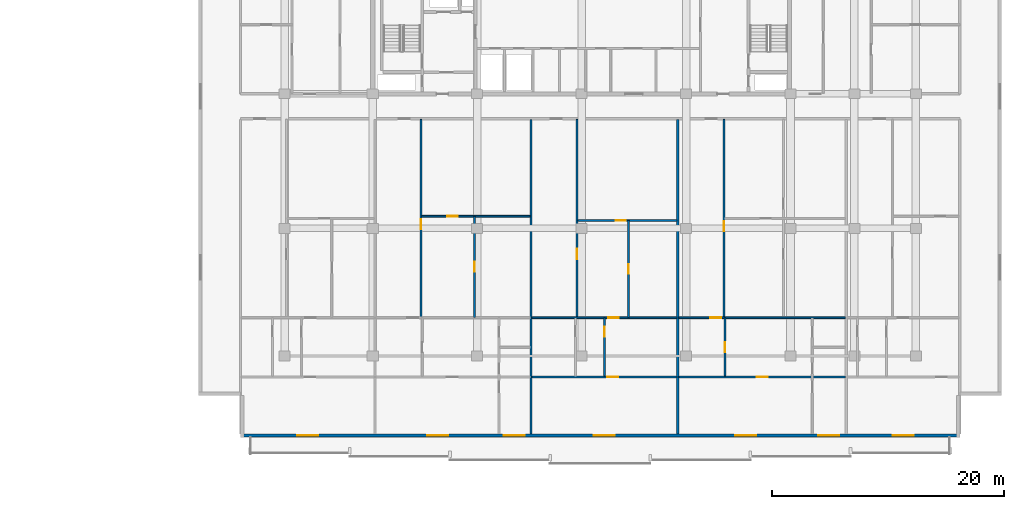
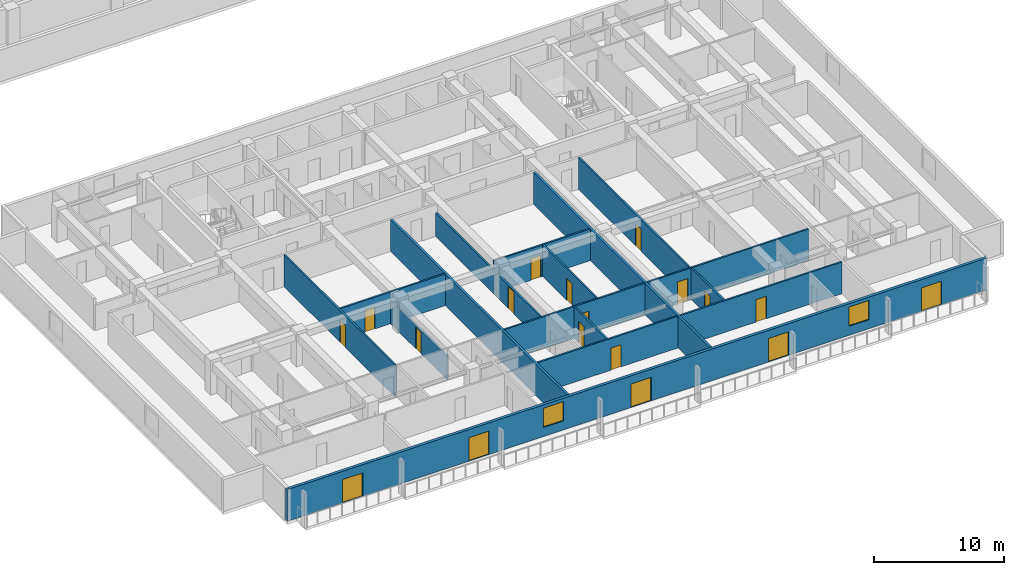
# One storey, part 5 of 24: 18 doors, 16 walls, 2 windows, 20 openings.
"""IFC4 building model written with IfcOpenShell, lengths in metres."""

from ifc_helpers import new_model, si_unit, direction, frame, frame_2d, origin, place, context, subcontext, project, spatial, rectangle, extrude, material, layer, layer_set, type_object, element, fill, save


model = new_model("IFC4")

# Units and contexts
model_context = context("Model", 3, precision=1e-05, world=origin(), true_north=direction((0.0, 1.0)))
body_context = subcontext(model_context, "Body", "Model", "MODEL_VIEW")
ifc_project = project(units=[si_unit("LENGTHUNIT", "METRE"), si_unit("AREAUNIT", "SQUARE_METRE"), si_unit("VOLUMEUNIT", "CUBIC_METRE"), si_unit("PLANEANGLEUNIT", "RADIAN"), si_unit("MASSUNIT", "GRAM", prefix="KILO")], contexts=[model_context])

# Site, building, storey
site_placement = place(None, origin())
site = spatial("IfcSite", under=ifc_project, at=site_placement, CompositionType="ELEMENT")
building_placement = place(site_placement, origin())
building = spatial("IfcBuilding", under=site, at=building_placement, Name="Korimba Cascade Residences", CompositionType="ELEMENT")
storey_placement = place(building_placement, frame((0.0, 0.0, 66.25)))
storey = spatial("IfcBuildingStorey", under=building, at=storey_placement, Name="L18", CompositionType="ELEMENT", Elevation=66.25)

# Wall, openings, doors, windows
ifc_material_1 = material(Name="Precast concrete C40/50", Category="concrete")
ifc_layer_1 = layer(ifc_material_1, 0.25)
ifc_layer_set_1 = layer_set([ifc_layer_1], Name="Precast concrete C40/50")
wall_type_1 = type_object("IfcWallType", Name="EW-LOG-250", PredefinedType="STANDARD", material=ifc_layer_set_1)
wall_1_placement = place(storey_placement, frame((70.699951171875, -11.050048828125, 0.0), z_axis=(0.0, 0.0, 1.0), x_axis=(1.0, 0.0, 0.0)))
wall_1 = element("IfcWall", 1, at=wall_1_placement, inside=storey, type_object=wall_type_1, Name="L18 T2 Perimeter Stone Wall E00", PredefinedType="STANDARD", context=body_context, shape_type="SweptSolid", body=[
    extrude(rectangle(XDim=62.0, YDim=0.25, at=frame_2d((31.0, 0.0))), origin(), (0.0, 0.0, 1.0), 2.969970703125),
])
opening_1_placement = place(wall_1_placement, frame((4.894775390625, 0.0, 0.0)))
opening_1 = element("IfcOpeningElement", 2, at=opening_1_placement, cuts=wall_1, Name="Opening D-LG1", PredefinedType="OPENING", context=body_context, shape_type="SweptSolid", body=[
    extrude(rectangle(XDim=1.800048828125, YDim=2.199951171875, at=frame_2d((0.89990234375, 1.10009765625))), frame((0.0, 0.135009765625, 0.0), z_axis=(0.0, -1.0, 0.0), x_axis=(1.0, 0.0, 0.0)), (0.0, 0.0, 1.0), 0.27001953125),
])
opening_2_placement = place(wall_1_placement, frame((16.094970703125, 0.0, 0.0)))
opening_2 = element("IfcOpeningElement", 3, at=opening_2_placement, cuts=wall_1, Name="Opening D-LG1", PredefinedType="OPENING", context=body_context, shape_type="SweptSolid", body=[
    extrude(rectangle(XDim=1.800048828125, YDim=2.199951171875, at=frame_2d((0.89990234375, 1.10009765625))), frame((0.0, 0.135009765625, 0.0), z_axis=(0.0, -1.0, 0.0), x_axis=(1.0, 0.0, 0.0)), (0.0, 0.0, 1.0), 0.27001953125),
])
opening_3_placement = place(wall_1_placement, frame((22.697998046875, 0.0, 0.85009765625)))
opening_3 = element("IfcOpeningElement", 4, at=opening_3_placement, cuts=wall_1, Name="Opening W-02", PredefinedType="OPENING", context=body_context, shape_type="SweptSolid", body=[
    extrude(rectangle(XDim=1.800048828125, YDim=1.800048828125, at=frame_2d((0.89990234375, 0.89990234375))), frame((0.0, 0.135009765625, 0.0), z_axis=(0.0, -1.0, 0.0), x_axis=(1.0, 0.0, 0.0)), (0.0, 0.0, 1.0), 0.27001953125),
])
opening_4_placement = place(wall_1_placement, frame((30.465576171875, 0.0, 0.0)))
opening_4 = element("IfcOpeningElement", 5, at=opening_4_placement, cuts=wall_1, Name="Opening D-LG1", PredefinedType="OPENING", context=body_context, shape_type="SweptSolid", body=[
    extrude(rectangle(XDim=1.800048828125, YDim=2.199951171875, at=frame_2d((0.89990234375, 1.10009765625))), frame((0.0, 0.135009765625, 0.0), z_axis=(0.0, -1.0, 0.0), x_axis=(1.0, 0.0, 0.0)), (0.0, 0.0, 1.0), 0.27001953125),
])
opening_5_placement = place(wall_1_placement, frame((42.6474609375, 0.0, 0.0)))
opening_5 = element("IfcOpeningElement", 6, at=opening_5_placement, cuts=wall_1, Name="Opening D-LG1", PredefinedType="OPENING", context=body_context, shape_type="SweptSolid", body=[
    extrude(rectangle(XDim=1.800048828125, YDim=2.199951171875, at=frame_2d((0.89990234375, 1.10009765625))), frame((0.0, 0.135009765625, 0.0), z_axis=(0.0, -1.0, 0.0), x_axis=(1.0, 0.0, 0.0)), (0.0, 0.0, 1.0), 0.27001953125),
])
opening_6_placement = place(wall_1_placement, frame((49.78515625, 0.0, 0.85009765625)))
opening_6 = element("IfcOpeningElement", 7, at=opening_6_placement, cuts=wall_1, Name="Opening W-02", PredefinedType="OPENING", context=body_context, shape_type="SweptSolid", body=[
    extrude(rectangle(XDim=1.800048828125, YDim=1.800048828125, at=frame_2d((0.89990234375, 0.89990234375))), frame((0.0, 0.135009765625, 0.0), z_axis=(0.0, -1.0, 0.0), x_axis=(1.0, 0.0, 0.0)), (0.0, 0.0, 1.0), 0.27001953125),
])
opening_7_placement = place(wall_1_placement, frame((56.205078125, 0.0, 0.0)))
opening_7 = element("IfcOpeningElement", 8, at=opening_7_placement, cuts=wall_1, Name="Opening D-LG1", PredefinedType="OPENING", context=body_context, shape_type="SweptSolid", body=[
    extrude(rectangle(XDim=1.800048828125, YDim=2.199951171875, at=frame_2d((0.89990234375, 1.10009765625))), frame((0.0, 0.135009765625, 0.0), z_axis=(0.0, -1.0, 0.0), x_axis=(1.0, 0.0, 0.0)), (0.0, 0.0, 1.0), 0.27001953125),
])
ifc_material_2 = material(Name="Glazed Aluminium Loggia Sliding Door", Category="aluminium")
door_type_1 = type_object("IfcDoorType", Name="DR-EXT-LOG", OperationType="NOTDEFINED", PredefinedType="DOOR", material=ifc_material_2)
door_1_placement = place(opening_1_placement, origin())
door_1 = element("IfcDoor", 9, at=door_1_placement, inside=storey, type_object=door_type_1, Name="L18 T2 Loggia Sliding Door 3", OperationType="SLIDING_TO_RIGHT", OverallHeight=2.199951171875, OverallWidth=1.800048828125, PredefinedType="DOOR", context=body_context, shape_type="SweptSolid", body=[
    extrude(rectangle(XDim=1.800048828125, YDim=2.199951171875, at=frame_2d((0.89990234375, 1.10009765625))), frame((0.0, 0.02490234375, 0.0), z_axis=(0.0, -1.0, 0.0), x_axis=(1.0, 0.0, 0.0)), (0.0, 0.0, 1.0), 0.050048828125),
])
fill(opening_1, door_1)
door_2_placement = place(opening_2_placement, origin())
door_2 = element("IfcDoor", 10, at=door_2_placement, inside=storey, type_object=door_type_1, Name="L18 T2 Loggia Sliding Door 4", OperationType="SLIDING_TO_RIGHT", OverallHeight=2.199951171875, OverallWidth=1.800048828125, PredefinedType="DOOR", context=body_context, shape_type="SweptSolid", body=[
    extrude(rectangle(XDim=1.800048828125, YDim=2.199951171875, at=frame_2d((0.89990234375, 1.10009765625))), frame((0.0, 0.02490234375, 0.0), z_axis=(0.0, -1.0, 0.0), x_axis=(1.0, 0.0, 0.0)), (0.0, 0.0, 1.0), 0.050048828125),
])
fill(opening_2, door_2)
door_3_placement = place(opening_4_placement, origin())
door_3 = element("IfcDoor", 11, at=door_3_placement, inside=storey, type_object=door_type_1, Name="L18 T2 Loggia Sliding Door 6", OperationType="SLIDING_TO_RIGHT", OverallHeight=2.199951171875, OverallWidth=1.800048828125, PredefinedType="DOOR", context=body_context, shape_type="SweptSolid", body=[
    extrude(rectangle(XDim=1.800048828125, YDim=2.199951171875, at=frame_2d((0.89990234375, 1.10009765625))), frame((0.0, 0.02490234375, 0.0), z_axis=(0.0, -1.0, 0.0), x_axis=(1.0, 0.0, 0.0)), (0.0, 0.0, 1.0), 0.050048828125),
])
fill(opening_4, door_3)
door_4_placement = place(opening_5_placement, origin())
door_4 = element("IfcDoor", 12, at=door_4_placement, inside=storey, type_object=door_type_1, Name="L18 T2 Loggia Sliding Door 7", OperationType="SLIDING_TO_RIGHT", OverallHeight=2.199951171875, OverallWidth=1.800048828125, PredefinedType="DOOR", context=body_context, shape_type="SweptSolid", body=[
    extrude(rectangle(XDim=1.800048828125, YDim=2.199951171875, at=frame_2d((0.89990234375, 1.10009765625))), frame((0.0, 0.02490234375, 0.0), z_axis=(0.0, -1.0, 0.0), x_axis=(1.0, 0.0, 0.0)), (0.0, 0.0, 1.0), 0.050048828125),
])
fill(opening_5, door_4)
door_5_placement = place(opening_7_placement, origin())
door_5 = element("IfcDoor", 13, at=door_5_placement, inside=storey, type_object=door_type_1, Name="L18 T2 Loggia Sliding Door 9", OperationType="SLIDING_TO_RIGHT", OverallHeight=2.199951171875, OverallWidth=1.800048828125, PredefinedType="DOOR", context=body_context, shape_type="SweptSolid", body=[
    extrude(rectangle(XDim=1.800048828125, YDim=2.199951171875, at=frame_2d((0.89990234375, 1.10009765625))), frame((0.0, 0.02490234375, 0.0), z_axis=(0.0, -1.0, 0.0), x_axis=(1.0, 0.0, 0.0)), (0.0, 0.0, 1.0), 0.050048828125),
])
fill(opening_7, door_5)
ifc_material_3 = material(Name="Double-Glazed Aluminium Window", Category="aluminium")
window_type = type_object("IfcWindowType", Name="WIN-BED-1800", PartitioningType="SINGLE_PANEL", PredefinedType="WINDOW", material=ifc_material_3)
window_1_placement = place(opening_3_placement, origin())
window_1 = element("IfcWindow", 14, at=window_1_placement, inside=storey, type_object=window_type, Name="L18 T2 South Facade Window 5", OverallHeight=1.800048828125, OverallWidth=1.800048828125, PartitioningType="SINGLE_PANEL", PredefinedType="WINDOW", context=body_context, shape_type="SweptSolid", body=[
    extrude(rectangle(XDim=1.800048828125, YDim=1.800048828125, at=frame_2d((0.89990234375, 0.89990234375))), frame((0.0, 0.030029296875, 0.0), z_axis=(0.0, -1.0, 0.0), x_axis=(1.0, 0.0, 0.0)), (0.0, 0.0, 1.0), 0.06005859375),
])
fill(opening_3, window_1)
window_2_placement = place(opening_6_placement, origin())
window_2 = element("IfcWindow", 15, at=window_2_placement, inside=storey, type_object=window_type, Name="L18 T2 South Facade Window 8", OverallHeight=1.800048828125, OverallWidth=1.800048828125, PartitioningType="SINGLE_PANEL", PredefinedType="WINDOW", context=body_context, shape_type="SweptSolid", body=[
    extrude(rectangle(XDim=1.800048828125, YDim=1.800048828125, at=frame_2d((0.89990234375, 0.89990234375))), frame((0.0, 0.030029296875, 0.0), z_axis=(0.0, -1.0, 0.0), x_axis=(1.0, 0.0, 0.0)), (0.0, 0.0, 1.0), 0.06005859375),
])
fill(opening_6, window_2)

# Walls
ifc_layer_2 = layer(ifc_material_1, 0.199951171875)
ifc_layer_set_2 = layer_set([ifc_layer_2], Name="Precast concrete C40/50")
wall_type_2 = type_object("IfcWallType", Name="WAL-IT-200", PredefinedType="PARTITIONING", material=ifc_layer_set_2)
for number, where, z_axis, x_axis, name in (
    (16, (95.736328125, -10.89990234375, 0.0), (0.0, 0.0, 1.0), (0.0, 1.0, 0.0), "L18 Partition Wall WAL-L18-T2-DEM-2"),
    (17, (108.39501953125, -10.89990234375, 0.0), (0.0, 0.0, 1.0), (0.0, 1.0, 0.0), "L18 Partition Wall WAL-L18-T2-DEM-3"),
):
    element("IfcWall", number, at=place(storey_placement, frame(where, z_axis=z_axis, x_axis=x_axis)), inside=storey, type_object=wall_type_2, Name=name, PredefinedType="PARTITIONING", context=body_context, shape_type="SweptSolid", body=[
        extrude(rectangle(XDim=27.06982421875, YDim=0.199951171875, at=frame_2d((13.534912109375, 0.0))), origin(), (0.0, 0.0, 1.0), 2.969970703125),
    ])

# Wall, opening, door
ifc_material_4 = material(Name="Insulated Acoustic Stud Partition", Category="gypsum")
ifc_layer_3 = layer(ifc_material_4, 0.14990234375)
ifc_layer_set_3 = layer_set([ifc_layer_3], Name="Insulated Acoustic Stud Partition")
wall_type_3 = type_object("IfcWallType", Name="WAL-PART-150", PredefinedType="PARTITIONING", material=ifc_layer_set_3)
wall_2_placement = place(storey_placement, frame((90.867919921875, -0.860107421875, 0.0), z_axis=(0.0, 0.0, 1.0), x_axis=(0.0, 1.0, 0.0)))
wall_2 = element("IfcWall", 18, at=wall_2_placement, inside=storey, type_object=wall_type_3, Name="L18 Partition Wall WAL-L18-T2-U02-FMV", PredefinedType="PARTITIONING", context=body_context, shape_type="SweptSolid", body=[
    extrude(rectangle(XDim=8.705078125, YDim=0.14990234375, at=frame_2d((4.3525390625, 0.0))), origin(), (0.0, 0.0, 1.0), 2.219970703125),
])
opening_8_placement = place(wall_2_placement, frame((3.9326171875, 0.0, 0.0)))
opening_8 = element("IfcOpeningElement", 19, at=opening_8_placement, cuts=wall_2, Name="Opening D-BT1", PredefinedType="OPENING", context=body_context, shape_type="SweptSolid", body=[
    extrude(rectangle(XDim=0.840087890625, YDim=2.0400390625, at=frame_2d((0.419921875, 1.02001953125))), frame((0.0, 0.0849609375, 0.0), z_axis=(0.0, -1.0, 0.0), x_axis=(1.0, 0.0, 0.0)), (0.0, 0.0, 1.0), 0.169921875),
])
ifc_material_5 = material(Name="Moisture-Resistant Bathroom Timber Door", Category="wood")
door_type_2 = type_object("IfcDoorType", Name="DR-INT-850", OperationType="NOTDEFINED", PredefinedType="DOOR", material=ifc_material_5)
door_6_placement = place(opening_8_placement, origin())
door_6 = element("IfcDoor", 20, at=door_6_placement, inside=storey, type_object=door_type_2, Name="L18-T2-U02 Wardrobe Door", OperationType="SINGLE_SWING_RIGHT", OverallHeight=2.0400390625, OverallWidth=0.840087890625, PredefinedType="DOOR", context=body_context, shape_type="SweptSolid", body=[
    extrude(rectangle(XDim=0.840087890625, YDim=2.0400390625, at=frame_2d((0.419921875, 1.02001953125))), frame((0.0, 0.02490234375, 0.0), z_axis=(0.0, -1.0, 0.0), x_axis=(1.0, 0.0, 0.0)), (0.0, 0.0, 1.0), 0.050048828125),
])
fill(opening_8, door_6)

wall_3_placement = place(storey_placement, frame((86.319580078125, 7.844970703125, 0.0), z_axis=(0.0, 0.0, 1.0), x_axis=(1.0, 0.0, 0.0)))
wall_3 = element("IfcWall", 21, at=wall_3_placement, inside=storey, type_object=wall_type_3, Name="L18 Partition Wall WAL-L18-T2-U02-FMH", PredefinedType="PARTITIONING", context=body_context, shape_type="SweptSolid", body=[
    extrude(rectangle(XDim=9.336669921875, YDim=0.14990234375, at=frame_2d((4.66845703125, 0.0))), origin(), (0.0, 0.0, 1.0), 2.969970703125),
])
opening_9_placement = place(wall_3_placement, frame((2.208984375, 0.0, 0.0)))
opening_9 = element("IfcOpeningElement", 22, at=opening_9_placement, cuts=wall_3, Name="Opening D-IN2", PredefinedType="OPENING", context=body_context, shape_type="SweptSolid", body=[
    extrude(rectangle(XDim=0.8798828125, YDim=2.06005859375, at=frame_2d((0.43994140625, 1.030029296875))), frame((0.0, 0.0849609375, 0.0), z_axis=(0.0, -1.0, 0.0), x_axis=(1.0, 0.0, 0.0)), (0.0, 0.0, 1.0), 0.169921875),
])
ifc_material_6 = material(Name="Acoustic Timber Bedroom Door", Category="wood")
door_type_3 = type_object("IfcDoorType", Name="DR-INT-880", OperationType="NOTDEFINED", PredefinedType="DOOR", material=ifc_material_6)
door_7_placement = place(opening_9_placement, origin())
door_7 = element("IfcDoor", 23, at=door_7_placement, inside=storey, type_object=door_type_3, Name="L18-T2-U02 Library Salon Door", OperationType="SINGLE_SWING_LEFT", OverallHeight=2.06005859375, OverallWidth=0.8798828125, PredefinedType="DOOR", context=body_context, shape_type="SweptSolid", body=[
    extrude(rectangle(XDim=0.8798828125, YDim=2.06005859375, at=frame_2d((0.43994140625, 1.030029296875))), frame((0.0, 0.02490234375, 0.0), z_axis=(0.0, -1.0, 0.0), x_axis=(1.0, 0.0, 0.0)), (0.0, 0.0, 1.0), 0.050048828125),
])
fill(opening_9, door_7)

wall_4_placement = place(storey_placement, frame((86.259765625, -0.860107421875, 0.0), z_axis=(0.0, 0.0, 1.0), x_axis=(0.0, 1.0, 0.0)))
wall_4 = element("IfcWall", 24, at=wall_4_placement, inside=storey, type_object=wall_type_3, Name="L18 Partition Wall WAL-L18-T2-U02-FV", PredefinedType="PARTITIONING", context=body_context, shape_type="SweptSolid", body=[
    extrude(rectangle(XDim=17.050048828125, YDim=0.14990234375, at=frame_2d((8.52490234375, 0.0))), origin(), (0.0, 0.0, 1.0), 2.969970703125),
])
opening_10_placement = place(wall_4_placement, frame((7.574951171875, 0.0, 0.0)))
opening_10 = element("IfcOpeningElement", 25, at=opening_10_placement, cuts=wall_4, Name="Opening D-IN2", PredefinedType="OPENING", context=body_context, shape_type="SweptSolid", body=[
    extrude(rectangle(XDim=0.8798828125, YDim=2.06005859375, at=frame_2d((0.43994140625, 1.030029296875))), frame((0.0, 0.0849609375, 0.0), z_axis=(0.0, -1.0, 0.0), x_axis=(1.0, 0.0, 0.0)), (0.0, 0.0, 1.0), 0.169921875),
])
door_8_placement = place(opening_10_placement, origin())
door_8 = element("IfcDoor", 26, at=door_8_placement, inside=storey, type_object=door_type_3, Name="L18-T2-U02 Media Lounge Door", OperationType="SINGLE_SWING_RIGHT", OverallHeight=2.06005859375, OverallWidth=0.8798828125, PredefinedType="DOOR", context=body_context, shape_type="SweptSolid", body=[
    extrude(rectangle(XDim=0.8798828125, YDim=2.06005859375, at=frame_2d((0.43994140625, 1.030029296875))), frame((0.0, 0.02490234375, 0.0), z_axis=(0.0, -1.0, 0.0), x_axis=(1.0, 0.0, 0.0)), (0.0, 0.0, 1.0), 0.050048828125),
])
fill(opening_10, door_8)

wall_5_placement = place(storey_placement, frame((104.140625, -0.860107421875, 0.0), z_axis=(0.0, 0.0, 1.0), x_axis=(0.0, 1.0, 0.0)))
wall_5 = element("IfcWall", 27, at=wall_5_placement, inside=storey, type_object=wall_type_3, Name="L18 Partition Wall WAL-L18-T2-U03-FMV", PredefinedType="PARTITIONING", context=body_context, shape_type="SweptSolid", body=[
    extrude(rectangle(XDim=8.34521484375, YDim=0.14990234375, at=frame_2d((4.172607421875, 0.0))), origin(), (0.0, 0.0, 1.0), 2.969970703125),
])
opening_11_placement = place(wall_5_placement, frame((3.75244140625, 0.0, 0.0)))
opening_11 = element("IfcOpeningElement", 28, at=opening_11_placement, cuts=wall_5, Name="Opening D-BT1", PredefinedType="OPENING", context=body_context, shape_type="SweptSolid", body=[
    extrude(rectangle(XDim=0.840087890625, YDim=2.0400390625, at=frame_2d((0.419921875, 1.02001953125))), frame((0.0, 0.0849609375, 0.0), z_axis=(0.0, -1.0, 0.0), x_axis=(1.0, 0.0, 0.0)), (0.0, 0.0, 1.0), 0.169921875),
])
door_9_placement = place(opening_11_placement, origin())
door_9 = element("IfcDoor", 29, at=door_9_placement, inside=storey, type_object=door_type_2, Name="L18-T2-U03 Wardrobe Door", OperationType="SINGLE_SWING_LEFT", OverallHeight=2.0400390625, OverallWidth=0.840087890625, PredefinedType="DOOR", context=body_context, shape_type="SweptSolid", body=[
    extrude(rectangle(XDim=0.840087890625, YDim=2.0400390625, at=frame_2d((0.419921875, 1.02001953125))), frame((0.0, 0.02490234375, 0.0), z_axis=(0.0, -1.0, 0.0), x_axis=(1.0, 0.0, 0.0)), (0.0, 0.0, 1.0), 0.050048828125),
])
fill(opening_11, door_9)

wall_6_placement = place(storey_placement, frame((99.766357421875, 7.485107421875, 0.0), z_axis=(0.0, 0.0, 1.0), x_axis=(1.0, 0.0, 0.0)))
wall_6 = element("IfcWall", 30, at=wall_6_placement, inside=storey, type_object=wall_type_3, Name="L18 Partition Wall WAL-L18-T2-U03-FMH", PredefinedType="PARTITIONING", context=body_context, shape_type="SweptSolid", body=[
    extrude(rectangle(XDim=8.548583984375, YDim=0.14990234375, at=frame_2d((4.2744140625, 0.0))), origin(), (0.0, 0.0, 1.0), 2.969970703125),
])
opening_12_placement = place(wall_6_placement, frame((3.2744140625, 0.0, 0.0)))
opening_12 = element("IfcOpeningElement", 31, at=opening_12_placement, cuts=wall_6, Name="Opening D-IN2", PredefinedType="OPENING", context=body_context, shape_type="SweptSolid", body=[
    extrude(rectangle(XDim=0.8798828125, YDim=2.06005859375, at=frame_2d((0.43994140625, 1.030029296875))), frame((0.0, 0.0849609375, 0.0), z_axis=(0.0, -1.0, 0.0), x_axis=(1.0, 0.0, 0.0)), (0.0, 0.0, 1.0), 0.169921875),
])
door_10_placement = place(opening_12_placement, origin())
door_10 = element("IfcDoor", 32, at=door_10_placement, inside=storey, type_object=door_type_3, Name="L18-T2-U03 Library Salon Door", OperationType="SINGLE_SWING_RIGHT", OverallHeight=2.06005859375, OverallWidth=0.8798828125, PredefinedType="DOOR", context=body_context, shape_type="SweptSolid", body=[
    extrude(rectangle(XDim=0.8798828125, YDim=2.06005859375, at=frame_2d((0.43994140625, 1.030029296875))), frame((0.0, 0.02490234375, 0.0), z_axis=(0.0, -1.0, 0.0), x_axis=(1.0, 0.0, 0.0)), (0.0, 0.0, 1.0), 0.050048828125),
])
fill(opening_12, door_10)

wall_7_placement = place(storey_placement, frame((99.706298828125, -0.860107421875, 0.0), z_axis=(0.0, 0.0, 1.0), x_axis=(0.0, 1.0, 0.0)))
wall_7 = element("IfcWall", 33, at=wall_7_placement, inside=storey, type_object=wall_type_3, Name="L18 Partition Wall WAL-L18-T2-U03-FV", PredefinedType="PARTITIONING", context=body_context, shape_type="SweptSolid", body=[
    extrude(rectangle(XDim=17.050048828125, YDim=0.14990234375, at=frame_2d((8.52490234375, 0.0))), origin(), (0.0, 0.0, 1.0), 2.219970703125),
])
opening_13_placement = place(wall_7_placement, frame((5.018310546875, 0.0, 0.0)))
opening_13 = element("IfcOpeningElement", 34, at=opening_13_placement, cuts=wall_7, Name="Opening D-IN2", PredefinedType="OPENING", context=body_context, shape_type="SweptSolid", body=[
    extrude(rectangle(XDim=0.8798828125, YDim=2.06005859375, at=frame_2d((0.43994140625, 1.030029296875))), frame((0.0, 0.0849609375, 0.0), z_axis=(0.0, -1.0, 0.0), x_axis=(1.0, 0.0, 0.0)), (0.0, 0.0, 1.0), 0.169921875),
])
door_11_placement = place(opening_13_placement, origin())
door_11 = element("IfcDoor", 35, at=door_11_placement, inside=storey, type_object=door_type_3, Name="L18-T2-U03 Media Lounge Door", OperationType="SINGLE_SWING_LEFT", OverallHeight=2.06005859375, OverallWidth=0.8798828125, PredefinedType="DOOR", context=body_context, shape_type="SweptSolid", body=[
    extrude(rectangle(XDim=0.8798828125, YDim=2.06005859375, at=frame_2d((0.43994140625, 1.030029296875))), frame((0.0, 0.02490234375, 0.0), z_axis=(0.0, -1.0, 0.0), x_axis=(1.0, 0.0, 0.0)), (0.0, 0.0, 1.0), 0.050048828125),
])
fill(opening_13, door_11)

wall_8_placement = place(storey_placement, frame((102.074951171875, -5.93994140625, 0.0), z_axis=(0.0, 0.0, 1.0), x_axis=(0.0, 1.0, 0.0)))
wall_8 = element("IfcWall", 36, at=wall_8_placement, inside=storey, type_object=wall_type_3, Name="L18 Partition Wall WAL-L18-T2-U03-BM", PredefinedType="PARTITIONING", context=body_context, shape_type="SweptSolid", body=[
    extrude(rectangle(XDim=5.0, YDim=0.14990234375, at=frame_2d((2.5, 0.0))), origin(), (0.0, 0.0, 1.0), 2.969970703125),
])
opening_14_placement = place(wall_8_placement, frame((3.424072265625, 0.0, 0.0)))
opening_14 = element("IfcOpeningElement", 37, at=opening_14_placement, cuts=wall_8, Name="Opening D-BT1", PredefinedType="OPENING", context=body_context, shape_type="SweptSolid", body=[
    extrude(rectangle(XDim=0.840087890625, YDim=2.0400390625, at=frame_2d((0.419921875, 1.02001953125))), frame((0.0, 0.0849609375, 0.0), z_axis=(0.0, -1.0, 0.0), x_axis=(1.0, 0.0, 0.0)), (0.0, 0.0, 1.0), 0.169921875),
])
door_12_placement = place(opening_14_placement, origin())
door_12 = element("IfcDoor", 38, at=door_12_placement, inside=storey, type_object=door_type_2, Name="L18-T2-U03 Bathroom Door", OperationType="SINGLE_SWING_LEFT", OverallHeight=2.0400390625, OverallWidth=0.840087890625, PredefinedType="DOOR", context=body_context, shape_type="SweptSolid", body=[
    extrude(rectangle(XDim=0.840087890625, YDim=2.0400390625, at=frame_2d((0.419921875, 1.02001953125))), frame((0.0, 0.02490234375, 0.0), z_axis=(0.0, -1.0, 0.0), x_axis=(1.0, 0.0, 0.0)), (0.0, 0.0, 1.0), 0.050048828125),
])
fill(opening_14, door_12)

wall_9_placement = place(storey_placement, frame((95.81640625, -0.89990234375, 0.0), z_axis=(0.0, 0.0, 1.0), x_axis=(1.0, 0.0, 0.0)))
wall_9 = element("IfcWall", 39, at=wall_9_placement, inside=storey, type_object=wall_type_3, Name="L18 Partition Wall WAL-L18-T2-U03-MW", PredefinedType="PARTITIONING", context=body_context, shape_type="SweptSolid", body=[
    extrude(rectangle(XDim=12.49853515625, YDim=0.14990234375, at=frame_2d((6.249267578125, 0.0))), origin(), (0.0, 0.0, 1.0), 2.969970703125),
])
opening_15_placement = place(wall_9_placement, frame((6.57470703125, 0.0, 0.0)))
opening_15 = element("IfcOpeningElement", 40, at=opening_15_placement, cuts=wall_9, Name="Opening D-IN1", PredefinedType="OPENING", context=body_context, shape_type="SweptSolid", body=[
    extrude(rectangle(XDim=0.919921875, YDim=2.080078125, at=frame_2d((0.4599609375, 1.0400390625))), frame((0.0, 0.0849609375, 0.0), z_axis=(0.0, -1.0, 0.0), x_axis=(1.0, 0.0, 0.0)), (0.0, 0.0, 1.0), 0.169921875),
])
ifc_material_7 = material(Name="Acoustic Timber Living Door", Category="wood")
door_type_4 = type_object("IfcDoorType", Name="DR-INT-920", OperationType="NOTDEFINED", PredefinedType="DOOR", material=ifc_material_7)
door_13_placement = place(opening_15_placement, origin())
door_13 = element("IfcDoor", 41, at=door_13_placement, inside=storey, type_object=door_type_4, Name="L18-T2-U03 Studio Kitchen Door", OperationType="SINGLE_SWING_RIGHT", OverallHeight=2.080078125, OverallWidth=0.919921875, PredefinedType="DOOR", context=body_context, shape_type="SweptSolid", body=[
    extrude(rectangle(XDim=0.919921875, YDim=2.080078125, at=frame_2d((0.4599609375, 1.0400390625))), frame((0.0, 0.02490234375, 0.0), z_axis=(0.0, -1.0, 0.0), x_axis=(1.0, 0.0, 0.0)), (0.0, 0.0, 1.0), 0.050048828125),
])
fill(opening_15, door_13)

wall_10_placement = place(storey_placement, frame((95.81640625, -6.0, 0.0), z_axis=(0.0, 0.0, 1.0), x_axis=(1.0, 0.0, 0.0)))
wall_10 = element("IfcWall", 42, at=wall_10_placement, inside=storey, type_object=wall_type_3, Name="L18 Partition Wall WAL-L18-T2-U03-HZ", PredefinedType="PARTITIONING", context=body_context, shape_type="SweptSolid", body=[
    extrude(rectangle(XDim=12.49853515625, YDim=0.14990234375, at=frame_2d((6.249267578125, 0.0))), origin(), (0.0, 0.0, 1.0), 2.969970703125),
])
opening_16_placement = place(wall_10_placement, frame((6.508544921875, 0.0, 0.0)))
opening_16 = element("IfcOpeningElement", 43, at=opening_16_placement, cuts=wall_10, Name="Opening D-IN1", PredefinedType="OPENING", context=body_context, shape_type="SweptSolid", body=[
    extrude(rectangle(XDim=0.919921875, YDim=2.080078125, at=frame_2d((0.4599609375, 1.0400390625))), frame((0.0, 0.0849609375, 0.0), z_axis=(0.0, -1.0, 0.0), x_axis=(1.0, 0.0, 0.0)), (0.0, 0.0, 1.0), 0.169921875),
])
door_14_placement = place(opening_16_placement, origin())
door_14 = element("IfcDoor", 44, at=door_14_placement, inside=storey, type_object=door_type_4, Name="L18-T2-U03 Studio Door", OperationType="SINGLE_SWING_LEFT", OverallHeight=2.080078125, OverallWidth=0.919921875, PredefinedType="DOOR", context=body_context, shape_type="SweptSolid", body=[
    extrude(rectangle(XDim=0.919921875, YDim=2.080078125, at=frame_2d((0.4599609375, 1.0400390625))), frame((0.0, 0.02490234375, 0.0), z_axis=(0.0, -1.0, 0.0), x_axis=(1.0, 0.0, 0.0)), (0.0, 0.0, 1.0), 0.050048828125),
])
fill(opening_16, door_14)

wall_11_placement = place(storey_placement, frame((112.364990234375, -0.860107421875, 0.0), z_axis=(0.0, 0.0, 1.0), x_axis=(0.0, 1.0, 0.0)))
wall_11 = element("IfcWall", 45, at=wall_11_placement, inside=storey, type_object=wall_type_3, Name="L18 Partition Wall WAL-L18-T2-U04-FV", PredefinedType="PARTITIONING", context=body_context, shape_type="SweptSolid", body=[
    extrude(rectangle(XDim=17.050048828125, YDim=0.14990234375, at=frame_2d((8.52490234375, 0.0))), origin(), (0.0, 0.0, 1.0), 2.969970703125),
])
opening_17_placement = place(wall_11_placement, frame((7.39501953125, 0.0, 0.0)))
opening_17 = element("IfcOpeningElement", 46, at=opening_17_placement, cuts=wall_11, Name="Opening D-IN2", PredefinedType="OPENING", context=body_context, shape_type="SweptSolid", body=[
    extrude(rectangle(XDim=0.8798828125, YDim=2.06005859375, at=frame_2d((0.43994140625, 1.030029296875))), frame((0.0, 0.0849609375, 0.0), z_axis=(0.0, -1.0, 0.0), x_axis=(1.0, 0.0, 0.0)), (0.0, 0.0, 1.0), 0.169921875),
])
door_15_placement = place(opening_17_placement, origin())
door_15 = element("IfcDoor", 47, at=door_15_placement, inside=storey, type_object=door_type_3, Name="L18-T2-U04 Media Lounge Door", OperationType="SINGLE_SWING_LEFT", OverallHeight=2.06005859375, OverallWidth=0.8798828125, PredefinedType="DOOR", context=body_context, shape_type="SweptSolid", body=[
    extrude(rectangle(XDim=0.8798828125, YDim=2.06005859375, at=frame_2d((0.43994140625, 1.030029296875))), frame((0.0, 0.02490234375, 0.0), z_axis=(0.0, -1.0, 0.0), x_axis=(1.0, 0.0, 0.0)), (0.0, 0.0, 1.0), 0.050048828125),
])
fill(opening_17, door_15)

wall_12_placement = place(storey_placement, frame((112.46484375, -5.93994140625, 0.0), z_axis=(0.0, 0.0, 1.0), x_axis=(0.0, 1.0, 0.0)))
wall_12 = element("IfcWall", 48, at=wall_12_placement, inside=storey, type_object=wall_type_3, Name="L18 Partition Wall WAL-L18-T2-U04-VDIN", PredefinedType="PARTITIONING", context=body_context, shape_type="SweptSolid", body=[
    extrude(rectangle(XDim=5.0, YDim=0.14990234375, at=frame_2d((2.5, 0.0))), origin(), (0.0, 0.0, 1.0), 2.969970703125),
])
opening_18_placement = place(wall_12_placement, frame((2.06005859375, 0.0, 0.0)))
opening_18 = element("IfcOpeningElement", 49, at=opening_18_placement, cuts=wall_12, Name="Opening D-IN2", PredefinedType="OPENING", context=body_context, shape_type="SweptSolid", body=[
    extrude(rectangle(XDim=0.8798828125, YDim=2.06005859375, at=frame_2d((0.43994140625, 1.030029296875))), frame((0.0, 0.0849609375, 0.0), z_axis=(0.0, -1.0, 0.0), x_axis=(1.0, 0.0, 0.0)), (0.0, 0.0, 1.0), 0.169921875),
])
door_16_placement = place(opening_18_placement, origin())
door_16 = element("IfcDoor", 50, at=door_16_placement, inside=storey, type_object=door_type_3, Name="L18-T2-U04 Dining Room Door", OperationType="SINGLE_SWING_RIGHT", OverallHeight=2.06005859375, OverallWidth=0.8798828125, PredefinedType="DOOR", context=body_context, shape_type="SweptSolid", body=[
    extrude(rectangle(XDim=0.8798828125, YDim=2.06005859375, at=frame_2d((0.43994140625, 1.030029296875))), frame((0.0, 0.02490234375, 0.0), z_axis=(0.0, -1.0, 0.0), x_axis=(1.0, 0.0, 0.0)), (0.0, 0.0, 1.0), 0.050048828125),
])
fill(opening_18, door_16)

wall_13_placement = place(storey_placement, frame((108.474853515625, -0.89990234375, 0.0), z_axis=(0.0, 0.0, 1.0), x_axis=(1.0, 0.0, 0.0)))
wall_13 = element("IfcWall", 51, at=wall_13_placement, inside=storey, type_object=wall_type_3, Name="L18 Partition Wall WAL-L18-T2-U04-MW", PredefinedType="PARTITIONING", context=body_context, shape_type="SweptSolid", body=[
    extrude(rectangle(XDim=14.35546875, YDim=0.14990234375, at=frame_2d((7.177734375, 0.0))), origin(), (0.0, 0.0, 1.0), 2.969970703125),
])
opening_19_placement = place(wall_13_placement, frame((2.719970703125, 0.0, 0.0)))
opening_19 = element("IfcOpeningElement", 52, at=opening_19_placement, cuts=wall_13, Name="Opening D-IN1", PredefinedType="OPENING", context=body_context, shape_type="SweptSolid", body=[
    extrude(rectangle(XDim=0.919921875, YDim=2.080078125, at=frame_2d((0.4599609375, 1.0400390625))), frame((0.0, 0.0849609375, 0.0), z_axis=(0.0, -1.0, 0.0), x_axis=(1.0, 0.0, 0.0)), (0.0, 0.0, 1.0), 0.169921875),
])
door_17_placement = place(opening_19_placement, origin())
door_17 = element("IfcDoor", 53, at=door_17_placement, inside=storey, type_object=door_type_4, Name="L18-T2-U04 Kitchen Archway Door", OperationType="SINGLE_SWING_RIGHT", OverallHeight=2.080078125, OverallWidth=0.919921875, PredefinedType="DOOR", context=body_context, shape_type="SweptSolid", body=[
    extrude(rectangle(XDim=0.919921875, YDim=2.080078125, at=frame_2d((0.4599609375, 1.0400390625))), frame((0.0, 0.02490234375, 0.0), z_axis=(0.0, -1.0, 0.0), x_axis=(1.0, 0.0, 0.0)), (0.0, 0.0, 1.0), 0.050048828125),
])
fill(opening_19, door_17)

wall_14_placement = place(storey_placement, frame((108.474853515625, -6.0, 0.0), z_axis=(0.0, 0.0, 1.0), x_axis=(1.0, 0.0, 0.0)))
wall_14 = element("IfcWall", 54, at=wall_14_placement, inside=storey, type_object=wall_type_3, Name="L18 Partition Wall WAL-L18-T2-U04-HZ", PredefinedType="PARTITIONING", context=body_context, shape_type="SweptSolid", body=[
    extrude(rectangle(XDim=14.35546875, YDim=0.14990234375, at=frame_2d((7.177734375, 0.0))), origin(), (0.0, 0.0, 1.0), 2.969970703125),
])
opening_20_placement = place(wall_14_placement, frame((6.707763671875, 0.0, 0.0)))
opening_20 = element("IfcOpeningElement", 55, at=opening_20_placement, cuts=wall_14, Name="Opening D-IN0", PredefinedType="OPENING", context=body_context, shape_type="SweptSolid", body=[
    extrude(rectangle(XDim=0.93994140625, YDim=2.10009765625, at=frame_2d((0.469970703125, 1.050048828125))), frame((0.0, 0.0849609375, 0.0), z_axis=(0.0, -1.0, 0.0), x_axis=(1.0, 0.0, 0.0)), (0.0, 0.0, 1.0), 0.169921875),
])
ifc_material_8 = material(Name="Acoustic Timber Living Archway Door", Category="wood")
door_type_5 = type_object("IfcDoorType", Name="DR-INT-950", OperationType="NOTDEFINED", PredefinedType="DOOR", material=ifc_material_8)
door_18_placement = place(opening_20_placement, origin())
door_18 = element("IfcDoor", 56, at=door_18_placement, inside=storey, type_object=door_type_5, Name="L18-T2-U04 Living Archway Door", OperationType="SINGLE_SWING_LEFT", OverallHeight=2.10009765625, OverallWidth=0.93994140625, PredefinedType="DOOR", context=body_context, shape_type="SweptSolid", body=[
    extrude(rectangle(XDim=0.93994140625, YDim=2.10009765625, at=frame_2d((0.469970703125, 1.050048828125))), frame((0.0, 0.02490234375, 0.0), z_axis=(0.0, -1.0, 0.0), x_axis=(1.0, 0.0, 0.0)), (0.0, 0.0, 1.0), 0.050048828125),
])
fill(opening_20, door_18)

save(model, "model.ifc")
